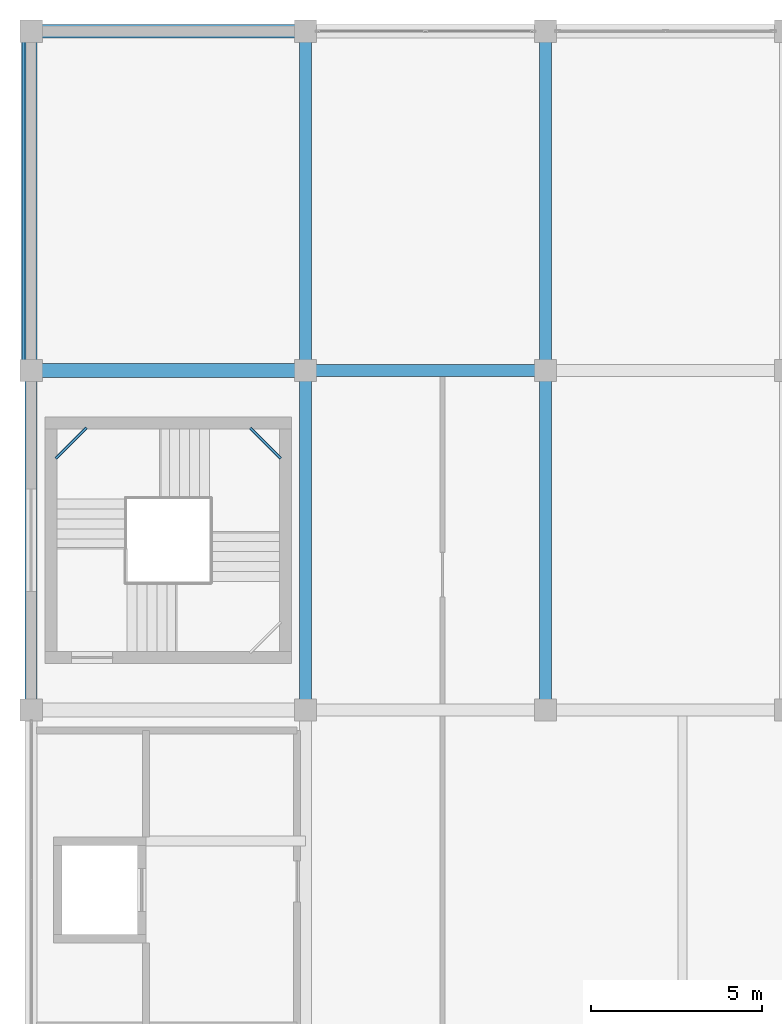
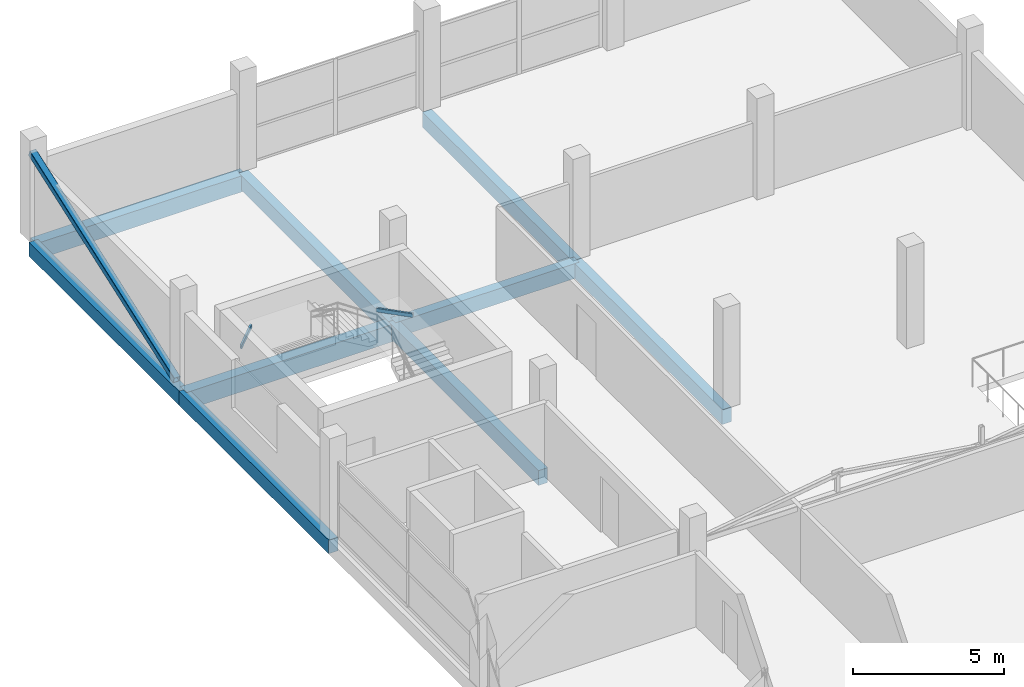
# One storey, part 36 of 53: 11 beams, 1 member.
"""IFC4 building model written with IfcOpenShell, lengths in metres."""

from ifc_helpers import new_model, si_unit, direction, frame, origin, origin_2d, place, context, subcontext, project, spatial, rectangle, hollow_rectangle, extrude, material, material_profile, profile_set, type_object, element, save


model = new_model("IFC4")

# Units and contexts
model_context = context("Model", 3, precision=1e-05, world=origin(), true_north=direction((0.0, 1.0)))
body_context = subcontext(model_context, "Body", "Model", "MODEL_VIEW")
ifc_project = project(units=[si_unit("LENGTHUNIT", "METRE"), si_unit("AREAUNIT", "SQUARE_METRE"), si_unit("VOLUMEUNIT", "CUBIC_METRE"), si_unit("PLANEANGLEUNIT", "RADIAN"), si_unit("MASSUNIT", "GRAM", prefix="KILO")], contexts=[model_context])

# Site, building, storey
site_placement = place(None, origin())
site = spatial("IfcSite", under=ifc_project, at=site_placement, CompositionType="ELEMENT")
building_placement = place(site_placement, origin())
building = spatial("IfcBuilding", under=site, at=building_placement, Name="Sillaruma Civic Art Gallery", CompositionType="ELEMENT")
storey_placement = place(building_placement, frame((0.0, 0.0, 70.3798828125)))
storey = spatial("IfcBuildingStorey", under=building, at=storey_placement, Name="L14", CompositionType="ELEMENT", Elevation=70.3798828125)

# Beams
ifc_material_1 = material(Name="Concrete H35 (35 MPa)", Category="concrete")
ifc_material_profile_1 = material_profile(ifc_material_1, rectangle(XDim=0.35009765625, YDim=0.60009765625, at=origin_2d()), Name="RCB350x600")
ifc_profile_set_1 = profile_set([ifc_material_profile_1], Name="Concrete H35 (35 MPa)")
beam_type_1 = type_object("IfcBeamType", Name="BM-BEAM-RCB350x600", PredefinedType="BEAM", material=ifc_profile_set_1)
beam_1_placement = place(storey_placement, frame((70.0, 89.10009765625, -0.5498046875), z_axis=(1.0, 0.0, 0.0), x_axis=(0.0, 1.0, 0.0)))
element("IfcBeam", 1, at=beam_1_placement, inside=storey, type_object=beam_type_1, Name="Beam BM-06 (L13:10:G-H)", PredefinedType="BEAM", context=body_context, shape_type="SweptSolid", body=[
    extrude(rectangle(XDim=0.35009765625, YDim=0.60009765625, at=origin_2d()), origin(), (0.0, 0.0, 1.0), 7.0),
])
beam_2_placement = place(storey_placement, frame((70.0, 79.199951171875, -0.5498046875), z_axis=(0.0, 1.0, 0.0), x_axis=(-1.0, 0.0, 0.0)))
element("IfcBeam", 2, at=beam_2_placement, inside=storey, type_object=beam_type_1, Name="Beam BM-06 (L13:G:9-10)", PredefinedType="BEAM", context=body_context, shape_type="SweptSolid", body=[
    extrude(rectangle(XDim=0.35009765625, YDim=0.60009765625, at=origin_2d()), origin(), (0.0, 0.0, 1.0), 9.900146484375),
])
beam_3_placement = place(storey_placement, frame((70.0, 89.10009765625, -0.5498046875), z_axis=(0.0, 1.0, 0.0), x_axis=(-1.0, 0.0, 0.0)))
element("IfcBeam", 3, at=beam_3_placement, inside=storey, type_object=beam_type_1, Name="Beam BM-06 (L13:G:10-11)", PredefinedType="BEAM", context=body_context, shape_type="SweptSolid", body=[
    extrude(rectangle(XDim=0.35009765625, YDim=0.60009765625, at=origin_2d()), origin(), (0.0, 0.0, 1.0), 9.89990234375),
])
beam_4_placement = place(storey_placement, frame((77.0, 79.199951171875, -0.5498046875), z_axis=(0.0, 1.0, 0.0), x_axis=(-1.0, 0.0, 0.0)))
element("IfcBeam", 4, at=beam_4_placement, inside=storey, type_object=beam_type_1, Name="Beam BM-06 (L13:H:9-10)", PredefinedType="BEAM", context=body_context, shape_type="SweptSolid", body=[
    extrude(rectangle(XDim=0.35009765625, YDim=0.60009765625, at=origin_2d()), origin(), (0.0, 0.0, 1.0), 9.900146484375),
])
beam_5_placement = place(storey_placement, frame((77.0, 89.10009765625, -0.5498046875), z_axis=(0.0, 1.0, 0.0), x_axis=(-1.0, 0.0, 0.0)))
element("IfcBeam", 5, at=beam_5_placement, inside=storey, type_object=beam_type_1, Name="Beam BM-06 (L13:H:10-11)", PredefinedType="BEAM", context=body_context, shape_type="SweptSolid", body=[
    extrude(rectangle(XDim=0.35009765625, YDim=0.60009765625, at=origin_2d()), origin(), (0.0, 0.0, 1.0), 9.89990234375),
])
ifc_material_profile_2 = material_profile(ifc_material_1, rectangle(XDim=0.39990234375, YDim=0.699951171875, at=origin_2d()), Name="RCB400x700")
ifc_profile_set_2 = profile_set([ifc_material_profile_2], Name="Concrete H35 (35 MPa)")
beam_type_2 = type_object("IfcBeamType", Name="BM-BEAM-RCB400x700", PredefinedType="BEAM", material=ifc_profile_set_2)
beam_6_placement = place(storey_placement, frame((62.0, 89.10009765625, -0.599853515625), z_axis=(1.0, 0.0, 0.0), x_axis=(0.0, 1.0, 0.0)))
element("IfcBeam", 6, at=beam_6_placement, inside=storey, type_object=beam_type_2, Name="Beam BM-04 (L13:10:F-G)", PredefinedType="BEAM", context=body_context, shape_type="SweptSolid", body=[
    extrude(rectangle(XDim=0.39990234375, YDim=0.699951171875, at=origin_2d()), origin(), (0.0, 0.0, 1.0), 8.0),
])
ifc_material_2 = material(Name="Structural Steel ASTM A500 Gr.C", Category="steel")
ifc_material_profile_3 = material_profile(ifc_material_2, hollow_rectangle(XDim=0.080078125, YDim=0.159912109375, WallThickness=0.008056640625, InnerFilletRadius=0.008056640625, OuterFilletRadius=0.01611328125, at=origin_2d()), Name="HSS160x80x8")
ifc_profile_set_3 = profile_set([ifc_material_profile_3], Name="Structural Steel ASTM A500 Gr.C")
beam_type_3 = type_object("IfcBeamType", Name="BM-LND-HSS160", PredefinedType="BEAM", material=ifc_profile_set_3)
for number, where, z_axis, x_axis, name in (
    (7, (68.389892578125, 87.429931640625, 1.760009765625), (0.707203758046, -0.707009791025, 0.0), (0.707009791025, 0.707203758046, 0.0), "Stair Corner Landing Trimmer Beam (ST-02-L14-2)"),
    (8, (62.719970703125, 86.5400390625, 2.780029296875), (0.707203758046, 0.707009791025, 0.0), (-0.707009791025, 0.707203758046, 0.0), "Stair Corner Landing Trimmer Beam (ST-02-L14-3)"),
):
    element("IfcBeam", number, at=place(storey_placement, frame(where, z_axis=z_axis, x_axis=x_axis)), inside=storey, type_object=beam_type_3, Name=name, PredefinedType="BEAM", context=body_context, shape_type="SweptSolid", body=[
        extrude(hollow_rectangle(XDim=0.080078125, YDim=0.159912109375, WallThickness=0.008056640625, InnerFilletRadius=0.008056640625, OuterFilletRadius=0.01611328125, at=origin_2d()), origin(), (0.0, 0.0, 1.0), 1.2587890625),
    ])
ifc_material_profile_4 = material_profile(ifc_material_1, rectangle(XDim=0.35009765625, YDim=0.550048828125, at=origin_2d()), Name="RCB350x550")
ifc_profile_set_4 = profile_set([ifc_material_profile_4], Name="Concrete H35 (35 MPa)")
beam_type_4 = type_object("IfcBeamType", Name="BM-SPANDREL-RCB350x550", PredefinedType="SPANDREL", material=ifc_profile_set_4)
beam_7_placement = place(storey_placement, frame((62.0, 79.199951171875, -0.52490234375), z_axis=(0.0, 1.0, 0.0), x_axis=(-1.0, 0.0, 0.0)))
element("IfcBeam", 9, at=beam_7_placement, inside=storey, type_object=beam_type_4, Name="Beam BS-04 (L13:F:9-10)", PredefinedType="SPANDREL", context=body_context, shape_type="SweptSolid", body=[
    extrude(rectangle(XDim=0.35009765625, YDim=0.550048828125, at=origin_2d()), origin(), (0.0, 0.0, 1.0), 9.900146484375),
])
beam_8_placement = place(storey_placement, frame((62.0, 89.10009765625, -0.52490234375), z_axis=(0.0, 1.0, 0.0), x_axis=(-1.0, 0.0, 0.0)))
element("IfcBeam", 10, at=beam_8_placement, inside=storey, type_object=beam_type_4, Name="Beam BS-04 (L13:F:10-11)", PredefinedType="SPANDREL", context=body_context, shape_type="SweptSolid", body=[
    extrude(rectangle(XDim=0.35009765625, YDim=0.550048828125, at=origin_2d()), origin(), (0.0, 0.0, 1.0), 9.89990234375),
])
ifc_material_profile_5 = material_profile(ifc_material_1, rectangle(XDim=0.39990234375, YDim=0.64990234375, at=origin_2d()), Name="RCB400x650")
ifc_profile_set_5 = profile_set([ifc_material_profile_5], Name="Concrete H35 (35 MPa)")
beam_type_5 = type_object("IfcBeamType", Name="BM-SPANDREL-RCB400x650", PredefinedType="SPANDREL", material=ifc_profile_set_5)
beam_9_placement = place(storey_placement, frame((62.0, 99.0, -0.574951171875), z_axis=(1.0, 0.0, 0.0), x_axis=(0.0, 1.0, 0.0)))
element("IfcBeam", 11, at=beam_9_placement, inside=storey, type_object=beam_type_5, Name="Beam BS-02 (L13:11:F-G)", PredefinedType="SPANDREL", context=body_context, shape_type="SweptSolid", body=[
    extrude(rectangle(XDim=0.39990234375, YDim=0.64990234375, at=origin_2d()), origin(), (0.0, 0.0, 1.0), 8.0),
])

# Member
ifc_material_profile_6 = material_profile(ifc_material_2, hollow_rectangle(XDim=0.25, YDim=0.25, WallThickness=0.012451171875, InnerFilletRadius=0.012451171875, OuterFilletRadius=0.02490234375, at=origin_2d()), Name="HSS250x250x12.5")
ifc_profile_set_6 = profile_set([ifc_material_profile_6], Name="Structural Steel ASTM A500 Gr.C")
member_type = type_object("IfcMemberType", Name="MEM-MEGA-BRACE", PredefinedType="BRACE", material=ifc_profile_set_6)
member_placement = place(storey_placement, frame((61.85009765625, 89.280029296875, 0.10009765625), z_axis=(0.0, 0.942584834579, 0.33396680916), x_axis=(-1.0, 0.0, 0.0)))
element("IfcMember", 12, at=member_placement, inside=storey, type_object=member_type, Name="Exterior Expressed Gallery Seismic Diagonal Brace (L14-WN)", PredefinedType="BRACE", context=body_context, shape_type="SweptSolid", body=[
    extrude(hollow_rectangle(XDim=0.25, YDim=0.25, WallThickness=0.012451171875, InnerFilletRadius=0.012451171875, OuterFilletRadius=0.02490234375, at=origin_2d()), origin(), (0.0, 0.0, 1.0), 10.12109375),
])

save(model, "model.ifc")
